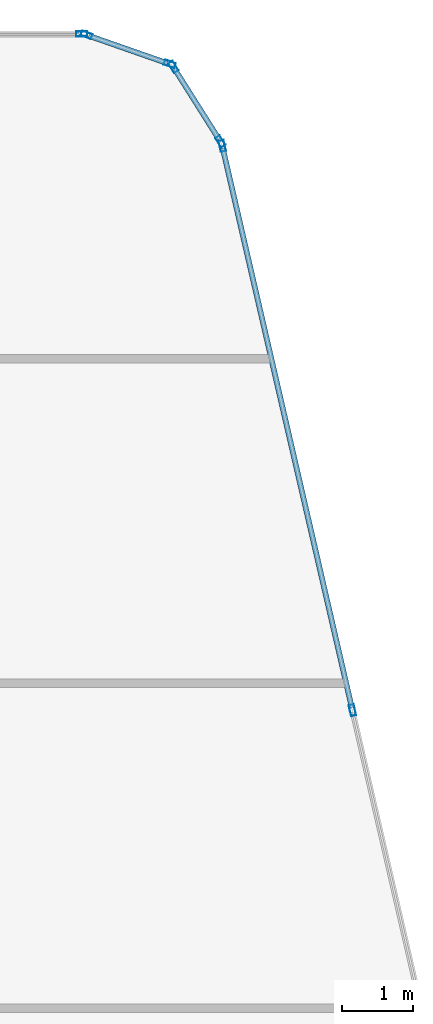
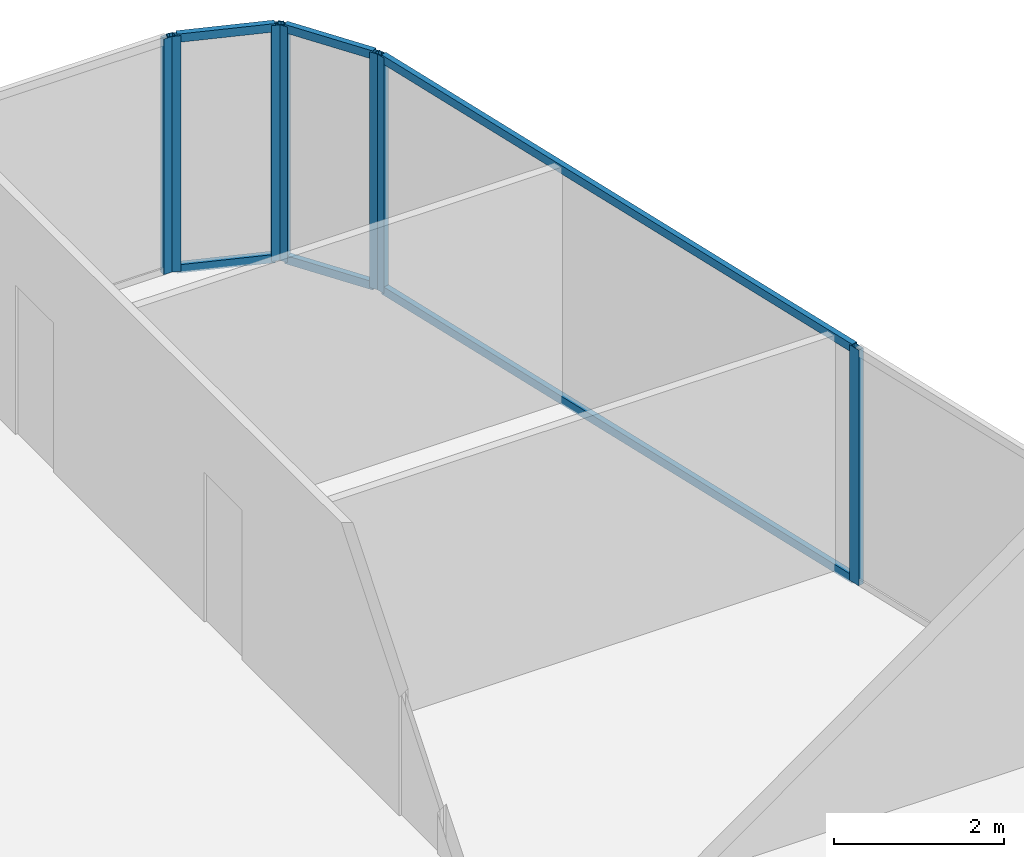
# One storey, part 19 of 27: 13 members, 4 elements without a shape of their own.
"""IFC4 building model written with IfcOpenShell, lengths in metres."""

import ifcopenshell
import ifcopenshell.guid

model = None  # the IFC model being written
_history = None  # IfcOwnerHistory: only IFC2X3 demands one
_inside = {}  # id of a spatial element -> (the spatial element, [elements in it])
_under = {}  # id of a project, library or spatial element -> (it, [spatial elements below it])
_declared = {}  # id of a project -> (the project, [libraries it declares])
_typed = {}  # id of a type object -> (the type object, [elements of that type])
_made_of = {}  # id of a material, layer set ... -> (it, [elements and type objects made of it])


def new_model(schema):
    """Start an empty IFC model of exactly this schema.

    Asked for "IFC4X3", IfcOpenShell would pick the latest addendum, in which some entities
    have other attributes; the version numbers below select the first issue.
    IFC2X3 requires an IfcOwnerHistory on every rooted entity: one is made here for all.
    """
    global model, _history
    if schema == "IFC4X3":
        model = ifcopenshell.file(schema_version=(4, 3, 0, 0))
    else:
        model = ifcopenshell.file(schema=schema)
    _inside.clear()
    _under.clear()
    _declared.clear()
    _typed.clear()
    _made_of.clear()
    _history = None
    if model.schema == "IFC2X3":
        org = make("IfcOrganization", Name="unknown")
        user = make(
            "IfcPersonAndOrganization",
            ThePerson=make("IfcPerson", FamilyName="unknown"),
            TheOrganization=org,
        )
        app = make(
            "IfcApplication",
            ApplicationDeveloper=org,
            Version="unknown",
            ApplicationFullName="unknown",
            ApplicationIdentifier="unknown",
        )
        _history = make(
            "IfcOwnerHistory",
            OwningUser=user,
            OwningApplication=app,
            ChangeAction="ADDED",
            CreationDate=0,
        )
    return model


def make(cls, **values):
    """One entity of the class cls with the attributes given. An attribute that is None is left unset."""
    return model.create_entity(
        cls, **{name: value for name, value in values.items() if value is not None}
    )


def rooted(cls, **values):
    """An entity with a GlobalId (a new one), such as an element, a storey or a relation."""
    return make(cls, GlobalId=ifcopenshell.guid.new(), OwnerHistory=_history, **values)


def si_unit(unit_type, name, prefix=None):
    """IfcSIUnit, for example si_unit("LENGTHUNIT", "METRE", prefix="MILLI")."""
    return make("IfcSIUnit", UnitType=unit_type, Prefix=prefix, Name=name)


def assignment(units):
    """IfcUnitAssignment: the units of a project."""
    return None if units is None else make("IfcUnitAssignment", Units=units)


def point(xyz):
    """IfcCartesianPoint."""
    return None if xyz is None else make("IfcCartesianPoint", Coordinates=xyz)


def direction(xyz):
    """IfcDirection."""
    return None if xyz is None else make("IfcDirection", DirectionRatios=xyz)


def frame(location, z_axis=None, x_axis=None):
    """IfcAxis2Placement3D, a coordinate frame: its origin and axes. An axis left out is left unset."""
    return make(
        "IfcAxis2Placement3D",
        Location=point(location),
        Axis=direction(z_axis),
        RefDirection=direction(x_axis),
    )


def frame_2d(location, x_axis=None):
    """IfcAxis2Placement2D, a coordinate frame in the plane: its origin and x axis."""
    return make(
        "IfcAxis2Placement2D", Location=point(location), RefDirection=direction(x_axis)
    )


def origin():
    """The frame at (0, 0, 0) with its axes left unset."""
    return frame((0.0, 0.0, 0.0))


def origin_2d():
    """The frame at (0, 0) in the plane with its x axis left unset."""
    return frame_2d((0.0, 0.0))


def place(relative_to, where):
    """IfcLocalPlacement: puts the frame where relative to a parent placement (None: the world)."""
    return make(
        "IfcLocalPlacement", PlacementRelTo=relative_to, RelativePlacement=where
    )


def context(
    kind, dimensions, precision=None, world=None, true_north=None, identifier=None
):
    """IfcGeometricRepresentationContext, for example the 3D "Model" context."""
    return make(
        "IfcGeometricRepresentationContext",
        ContextIdentifier=identifier,
        ContextType=kind,
        CoordinateSpaceDimension=dimensions,
        Precision=precision,
        WorldCoordinateSystem=world,
        TrueNorth=true_north,
    )


def subcontext(parent, identifier, kind, view, scale=None):
    """IfcGeometricRepresentationSubContext, for example "Body" below "Model"."""
    return make(
        "IfcGeometricRepresentationSubContext",
        ContextIdentifier=identifier,
        ContextType=kind,
        ParentContext=parent,
        TargetScale=scale,
        TargetView=view,
    )


def project(units=None, contexts=None):
    """IfcProject with its units and contexts."""
    return rooted(
        "IfcProject",
        Name="project",
        RepresentationContexts=contexts,
        UnitsInContext=assignment(units),
    )


def spatial(cls, under=None, at=None, **own):
    """A site, building, storey or space (cls), placed at a placement, below another one or the project."""
    s = rooted(cls, ObjectPlacement=at, **own)
    if under is not None:
        _under.setdefault(under.id(), (under, []))[1].append(s)
    return s


def profile(cls, at=None, kind="AREA", **sizes):
    """A parametric profile (cls). Its sizes go by their IFC names, for example OverallWidth=200.0."""
    return make(cls, ProfileType=kind, Position=at, **sizes)


def hollow_rectangle(**sizes):
    """IfcRectangleHollowProfileDef."""
    return profile("IfcRectangleHollowProfileDef", **sizes)


def extrude(swept, where, along, depth):
    """IfcExtrudedAreaSolid: the profile swept, set in the frame where, extruded along a direction by depth."""
    return make(
        "IfcExtrudedAreaSolid",
        SweptArea=swept,
        Position=where,
        ExtrudedDirection=direction(along),
        Depth=depth,
    )


def shape(context_of_items, identifier, shape_type, items):
    """IfcShapeRepresentation: the items that make up one representation, for example the "Body"."""
    return make(
        "IfcShapeRepresentation",
        ContextOfItems=context_of_items,
        RepresentationIdentifier=identifier,
        RepresentationType=shape_type,
        Items=items,
    )


def material(Name=None, Category=None):
    """IfcMaterial."""
    return make("IfcMaterial", Name=Name, Category=Category)


def layer(
    of_material, thickness, ventilated=None, Name=None, Category=None, Priority=None
):
    """IfcMaterialLayer: one layer of a wall or slab, of a material (None: an air gap)."""
    return make(
        "IfcMaterialLayer",
        Material=of_material,
        LayerThickness=thickness,
        IsVentilated=ventilated,
        Name=Name,
        Category=Category,
        Priority=Priority,
    )


def layer_set(layers, Name=None):
    """IfcMaterialLayerSet."""
    return make("IfcMaterialLayerSet", MaterialLayers=layers, LayerSetName=Name)


def material_profile(
    of_material, cross_section, Name=None, Category=None, Priority=None
):
    """IfcMaterialProfile: a cross section and its material."""
    return make(
        "IfcMaterialProfile",
        Name=Name,
        Material=of_material,
        Profile=cross_section,
        Priority=Priority,
        Category=Category,
    )


def profile_set(profiles, Name=None, composite=None):
    """IfcMaterialProfileSet."""
    return make(
        "IfcMaterialProfileSet",
        Name=Name,
        MaterialProfiles=profiles,
        CompositeProfile=composite,
    )


def made_of(thing, what):
    """Note that an element or type object is made of a material, layer set ...; save() writes the relation."""
    if what is not None:
        _made_of.setdefault(what.id(), (what, []))[1].append(thing)
    return thing


def type_object(cls, material=None, **own):
    """A type object (cls), such as IfcWallType, which elements share."""
    return made_of(rooted(cls, **own), material)


def element(
    cls,
    number,
    at=None,
    inside=None,
    cuts=None,
    type_object=None,
    material=None,
    context=None,
    identifier="Body",
    shape_type=None,
    held_by="IfcProductDefinitionShape",
    body=None,
    shapes=None,
    **own,
):
    """One element of the class cls, such as IfcWall. Its Tag is "e" and its number.

    at: its placement. inside: the storey or other place that contains it. cuts: it is an
    opening in that element (IfcRelVoidsElement). A single representation is given by context,
    identifier, shape_type and body (its items); several are given by shapes. held_by: the class
    of the entity that holds the representations. save() writes the other relations.
    """
    e = rooted(cls, Tag="e%d" % number, ObjectPlacement=at, **own)
    if body is not None:
        shapes = [shape(context, identifier, shape_type, body)]
    if shapes is not None:
        e.Representation = make(held_by, Representations=shapes)
    if inside is not None:
        _inside.setdefault(inside.id(), (inside, []))[1].append(e)
    if cuts is not None:
        rooted(
            "IfcRelVoidsElement", RelatingBuildingElement=cuts, RelatedOpeningElement=e
        )
    if type_object is not None:
        _typed.setdefault(type_object.id(), (type_object, []))[1].append(e)
    return made_of(e, material)


def aggregate(whole, parts):
    """IfcRelAggregates: a whole, such as a stair, and the parts it consists of."""
    return rooted("IfcRelAggregates", RelatingObject=whole, RelatedObjects=parts)


def save(model, path):
    """Write the relations noted so far, then the file.

    IfcRelAggregates (storeys below a building ...), IfcRelContainedInSpatialStructure (elements
    in a storey), IfcRelDefinesByType, IfcRelAssociatesMaterial and IfcRelDeclares: one each for
    every whole, place, type object, material and project.
    """
    for whole, parts in _under.values():
        aggregate(whole, parts)
    for where, things in _inside.values():
        rooted(
            "IfcRelContainedInSpatialStructure",
            RelatedElements=things,
            RelatingStructure=where,
        )
    for kind, things in _typed.values():
        rooted("IfcRelDefinesByType", RelatedObjects=things, RelatingType=kind)
    for what, things in _made_of.values():
        rooted("IfcRelAssociatesMaterial", RelatedObjects=things, RelatingMaterial=what)
    for by, libraries in _declared.values():
        rooted("IfcRelDeclares", RelatingContext=by, RelatedDefinitions=libraries)
    model.write(path)


model = new_model("IFC4")

# Units and contexts
model_context = context("Model", 3, precision=1e-05, world=origin(), true_north=direction((0.0, 1.0)))
body_context = subcontext(model_context, "Body", "Model", "MODEL_VIEW")
ifc_project = project(units=[si_unit("LENGTHUNIT", "METRE"), si_unit("AREAUNIT", "SQUARE_METRE"), si_unit("VOLUMEUNIT", "CUBIC_METRE"), si_unit("PLANEANGLEUNIT", "RADIAN"), si_unit("MASSUNIT", "GRAM", prefix="KILO")], contexts=[model_context])

# Site, building, storey
site_placement = place(None, origin())
site = spatial("IfcSite", under=ifc_project, at=site_placement, CompositionType="ELEMENT")
building_placement = place(site_placement, origin())
building = spatial("IfcBuilding", under=site, at=building_placement, Name="Keshet Zoharim Tower", CompositionType="ELEMENT")
storey_placement = place(building_placement, frame((0.0, 0.0, 254.699951171875)))
storey = spatial("IfcBuildingStorey", under=building, at=storey_placement, Name="L63", CompositionType="ELEMENT", Elevation=254.699951171875)

# Curtain wall, member
ifc_material = material(Name="Aluminium 6063-T6", Category="aluminium")
ifc_layer = layer(ifc_material, 0.260009765625)
ifc_layer_set = layer_set([ifc_layer], Name="Aluminium 6063-T6")
curtain_wall_type = type_object("IfcCurtainWallType", Name="CW-SYS-06", PredefinedType="NOTDEFINED", material=ifc_layer_set)
curtain_wall_1_placement = place(storey_placement, origin())
curtain_wall_1 = element("IfcCurtainWall", 1, at=curtain_wall_1_placement, inside=storey, type_object=curtain_wall_type, Name="L63 Unitised Curtain Wall 06 Part 5", PredefinedType="NOTDEFINED")
ifc_material_profile_1 = material_profile(ifc_material, hollow_rectangle(XDim=0.074951171875, YDim=0.159912109375, WallThickness=0.00390625, at=origin_2d()), Name="MUL-75x160")
ifc_profile_set_1 = profile_set([ifc_material_profile_1], Name="Aluminium 6063-T6")
member_type_1 = type_object("IfcMemberType", Name="CWM-M15", PredefinedType="MULLION", material=ifc_profile_set_1)
member_1_placement = place(storey_placement, frame((37.3740234375, 53.89990234375, 0.0), z_axis=(0.0, 0.0, 1.0), x_axis=(0.0, 1.0, 0.0)))
member_1 = element("IfcMember", 2, at=member_1_placement, type_object=member_type_1, Name="CW-06 mullion 2", PredefinedType="MULLION", context=body_context, shape_type="SweptSolid", body=[
    extrude(hollow_rectangle(XDim=0.074951171875, YDim=0.159912109375, WallThickness=0.00390625, at=origin_2d()), origin(), (0.0, 0.0, 1.0), 3.39013671875),
])
aggregate(curtain_wall_1, [member_1])

# Curtain wall, members
curtain_wall_2_placement = place(storey_placement, origin())
curtain_wall_2 = element("IfcCurtainWall", 3, at=curtain_wall_2_placement, inside=storey, type_object=curtain_wall_type, Name="L63 Unitised Curtain Wall 07", PredefinedType="NOTDEFINED")
member_2_placement = place(storey_placement, frame((37.442138671875, 53.888427734375, 0.0), z_axis=(0.0, 0.0, 1.0), x_axis=(0.329843743636, 0.944035542119, 0.0)))
member_2 = element("IfcMember", 4, at=member_2_placement, type_object=member_type_1, Name="CW-06 mullion 1", PredefinedType="MULLION", context=body_context, shape_type="SweptSolid", body=[
    extrude(hollow_rectangle(XDim=0.074951171875, YDim=0.159912109375, WallThickness=0.00390625, at=origin_2d()), origin(), (0.0, 0.0, 1.0), 3.39013671875),
])
member_3_placement = place(storey_placement, frame((38.620849609375, 53.4765625, 0.0), z_axis=(0.0, 0.0, 1.0), x_axis=(0.329843743636, 0.944035542119, 0.0)))
member_3 = element("IfcMember", 5, at=member_3_placement, type_object=member_type_1, Name="CW-06 mullion 2", PredefinedType="MULLION", context=body_context, shape_type="SweptSolid", body=[
    extrude(hollow_rectangle(XDim=0.074951171875, YDim=0.159912109375, WallThickness=0.00390625, at=origin_2d()), origin(), (0.0, 0.0, 1.0), 3.39013671875),
])

curtain_wall_3_placement = place(storey_placement, origin())
curtain_wall_3 = element("IfcCurtainWall", 6, at=curtain_wall_3_placement, inside=storey, type_object=curtain_wall_type, Name="L63 Unitised Curtain Wall 08", PredefinedType="NOTDEFINED")
member_4_placement = place(storey_placement, frame((38.672607421875, 53.435302734375, 0.0), z_axis=(0.0, 0.0, 1.0), x_axis=(0.845560976183, 0.533878858502, 0.0)))
member_4 = element("IfcMember", 7, at=member_4_placement, type_object=member_type_1, Name="CW-06 mullion 1", PredefinedType="MULLION", context=body_context, shape_type="SweptSolid", body=[
    extrude(hollow_rectangle(XDim=0.074951171875, YDim=0.159912109375, WallThickness=0.00390625, at=origin_2d()), origin(), (0.0, 0.0, 1.0), 3.39013671875),
])
member_5_placement = place(storey_placement, frame((39.33935546875, 52.379638671875, 0.0), z_axis=(0.0, 0.0, 1.0), x_axis=(0.845560976183, 0.533878858502, 0.0)))
member_5 = element("IfcMember", 8, at=member_5_placement, type_object=member_type_1, Name="CW-06 mullion 2", PredefinedType="MULLION", context=body_context, shape_type="SweptSolid", body=[
    extrude(hollow_rectangle(XDim=0.074951171875, YDim=0.159912109375, WallThickness=0.00390625, at=origin_2d()), origin(), (0.0, 0.0, 1.0), 3.39013671875),
])

curtain_wall_4_placement = place(storey_placement, origin())
curtain_wall_4 = element("IfcCurtainWall", 9, at=curtain_wall_4_placement, inside=storey, type_object=curtain_wall_type, Name="L63 Unitised Curtain Wall 09", PredefinedType="NOTDEFINED")
member_6_placement = place(storey_placement, frame((39.365966796875, 52.31591796875, 0.0), z_axis=(0.0, 0.0, 1.0), x_axis=(0.974398012932, 0.224829963294, 0.0)))
member_6 = element("IfcMember", 10, at=member_6_placement, type_object=member_type_1, Name="CW-06 mullion 1", PredefinedType="MULLION", context=body_context, shape_type="SweptSolid", body=[
    extrude(hollow_rectangle(XDim=0.074951171875, YDim=0.159912109375, WallThickness=0.00390625, at=origin_2d()), origin(), (0.0, 0.0, 1.0), 3.39013671875),
])
member_7_placement = place(storey_placement, frame((41.210693359375, 44.320556640625, 0.0), z_axis=(0.0, 0.0, 1.0), x_axis=(0.974398012932, 0.224829963294, 0.0)))
member_7 = element("IfcMember", 11, at=member_7_placement, type_object=member_type_1, Name="CW-06 mullion 2", PredefinedType="MULLION", context=body_context, shape_type="SweptSolid", body=[
    extrude(hollow_rectangle(XDim=0.074951171875, YDim=0.159912109375, WallThickness=0.00390625, at=origin_2d()), origin(), (0.0, 0.0, 1.0), 3.39013671875),
])

# Member
ifc_material_profile_2 = material_profile(ifc_material, hollow_rectangle(XDim=0.074951171875, YDim=0.1201171875, WallThickness=0.00390625, at=origin_2d()), Name="TRN-75x120")
ifc_profile_set_2 = profile_set([ifc_material_profile_2], Name="Aluminium 6063-T6")
member_type_2 = type_object("IfcMemberType", Name="CWT-T12", PredefinedType="USERDEFINED", material=ifc_profile_set_2)
member_8_placement = place(storey_placement, frame((37.47509765625, 53.876953125, 0.03515625), z_axis=(0.944006789648, -0.329926023675, 0.0), x_axis=(0.329926023675, 0.944006789648, 0.0)))
member_8 = element("IfcMember", 12, at=member_8_placement, type_object=member_type_2, Name="CW-06 transom 1.1", ObjectType="TRANSOM", PredefinedType="USERDEFINED", context=body_context, shape_type="SweptSolid", body=[
    extrude(hollow_rectangle(XDim=0.074951171875, YDim=0.1201171875, WallThickness=0.00390625, at=origin_2d()), origin(), (0.0, 0.0, 1.0), 1.1787109375),
])

member_9_placement = place(storey_placement, frame((37.47509765625, 53.876953125, 3.35498046875), z_axis=(0.944006789648, -0.329926023675, 0.0), x_axis=(0.329926023675, 0.944006789648, 0.0)))
member_9 = element("IfcMember", 13, at=member_9_placement, type_object=member_type_2, Name="CW-06 transom 1.2", ObjectType="TRANSOM", PredefinedType="USERDEFINED", context=body_context, shape_type="SweptSolid", body=[
    extrude(hollow_rectangle(XDim=0.074951171875, YDim=0.1201171875, WallThickness=0.00390625, at=origin_2d()), origin(), (0.0, 0.0, 1.0), 1.1787109375),
])

aggregate(curtain_wall_2, [member_2, member_3, member_8, member_9])

member_10_placement = place(storey_placement, frame((38.69140625, 53.40576171875, 0.03515625), z_axis=(0.53382931122, -0.845592257819, 0.0), x_axis=(0.845592257819, 0.53382931122, 0.0)))
member_10 = element("IfcMember", 14, at=member_10_placement, type_object=member_type_2, Name="CW-06 transom 1.1", ObjectType="TRANSOM", PredefinedType="USERDEFINED", context=body_context, shape_type="SweptSolid", body=[
    extrude(hollow_rectangle(XDim=0.074951171875, YDim=0.1201171875, WallThickness=0.00390625, at=origin_2d()), origin(), (0.0, 0.0, 1.0), 1.178466796875),
])

member_11_placement = place(storey_placement, frame((38.69140625, 53.40576171875, 3.35498046875), z_axis=(0.53382931122, -0.845592257819, 0.0), x_axis=(0.845592257819, 0.53382931122, 0.0)))
member_11 = element("IfcMember", 15, at=member_11_placement, type_object=member_type_2, Name="CW-06 transom 1.2", ObjectType="TRANSOM", PredefinedType="USERDEFINED", context=body_context, shape_type="SweptSolid", body=[
    extrude(hollow_rectangle(XDim=0.074951171875, YDim=0.1201171875, WallThickness=0.00390625, at=origin_2d()), origin(), (0.0, 0.0, 1.0), 1.178466796875),
])

aggregate(curtain_wall_3, [member_4, member_5, member_10, member_11])

member_12_placement = place(storey_placement, frame((39.373779296875, 52.28173828125, 0.03515625), z_axis=(0.224835397421, -0.97439675906, 0.0), x_axis=(0.97439675906, 0.224835397421, 0.0)))
member_12 = element("IfcMember", 16, at=member_12_placement, type_object=member_type_2, Name="CW-06 transom 1.1", ObjectType="TRANSOM", PredefinedType="USERDEFINED", context=body_context, shape_type="SweptSolid", body=[
    extrude(hollow_rectangle(XDim=0.074951171875, YDim=0.1201171875, WallThickness=0.00390625, at=origin_2d()), origin(), (0.0, 0.0, 1.0), 8.13525390625),
])

member_13_placement = place(storey_placement, frame((39.373779296875, 52.28173828125, 3.35498046875), z_axis=(0.224835397421, -0.97439675906, 0.0), x_axis=(0.97439675906, 0.224835397421, 0.0)))
member_13 = element("IfcMember", 17, at=member_13_placement, type_object=member_type_2, Name="CW-06 transom 1.2", ObjectType="TRANSOM", PredefinedType="USERDEFINED", context=body_context, shape_type="SweptSolid", body=[
    extrude(hollow_rectangle(XDim=0.074951171875, YDim=0.1201171875, WallThickness=0.00390625, at=origin_2d()), origin(), (0.0, 0.0, 1.0), 8.13525390625),
])

aggregate(curtain_wall_4, [member_6, member_7, member_12, member_13])

save(model, "model.ifc")
